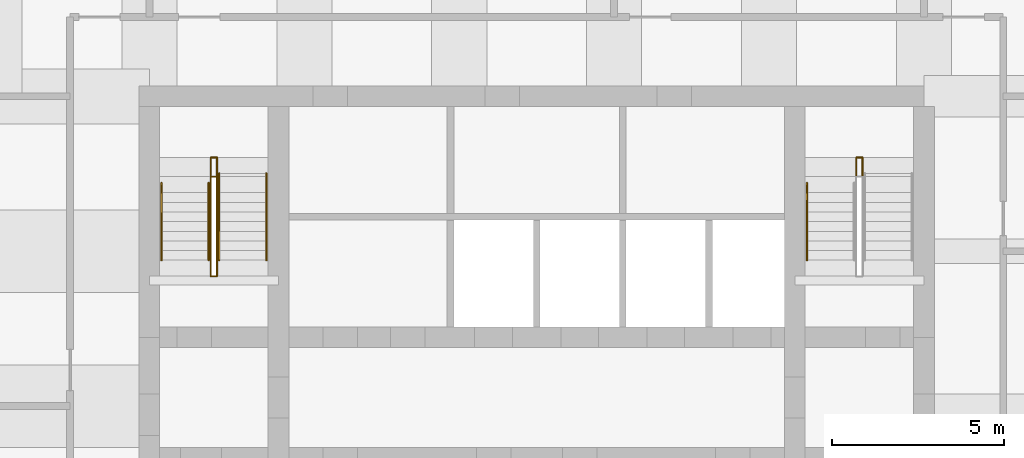
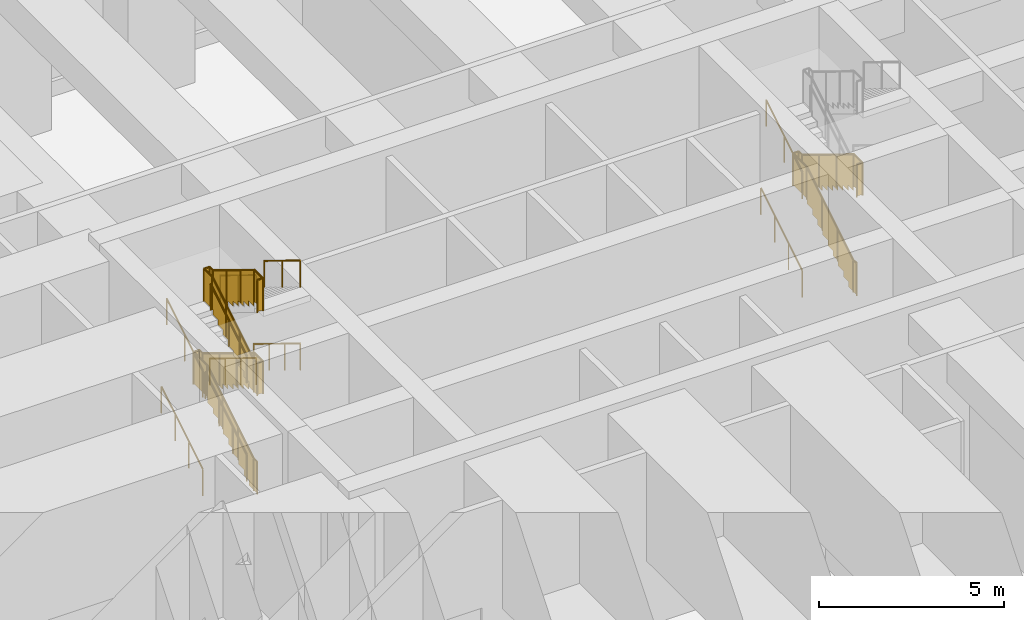
# One storey, part 16 of 17: 16 railings.
"""IFC4 building model written with IfcOpenShell, lengths in metres."""

import ifcopenshell
import ifcopenshell.guid

model = None  # the IFC model being written
_history = None  # IfcOwnerHistory: only IFC2X3 demands one
_inside = {}  # id of a spatial element -> (the spatial element, [elements in it])
_under = {}  # id of a project, library or spatial element -> (it, [spatial elements below it])
_declared = {}  # id of a project -> (the project, [libraries it declares])
_typed = {}  # id of a type object -> (the type object, [elements of that type])
_made_of = {}  # id of a material, layer set ... -> (it, [elements and type objects made of it])


def new_model(schema):
    """Start an empty IFC model of exactly this schema.

    Asked for "IFC4X3", IfcOpenShell would pick the latest addendum, in which some entities
    have other attributes; the version numbers below select the first issue.
    IFC2X3 requires an IfcOwnerHistory on every rooted entity: one is made here for all.
    """
    global model, _history
    if schema == "IFC4X3":
        model = ifcopenshell.file(schema_version=(4, 3, 0, 0))
    else:
        model = ifcopenshell.file(schema=schema)
    _inside.clear()
    _under.clear()
    _declared.clear()
    _typed.clear()
    _made_of.clear()
    _history = None
    if model.schema == "IFC2X3":
        org = make("IfcOrganization", Name="unknown")
        user = make(
            "IfcPersonAndOrganization",
            ThePerson=make("IfcPerson", FamilyName="unknown"),
            TheOrganization=org,
        )
        app = make(
            "IfcApplication",
            ApplicationDeveloper=org,
            Version="unknown",
            ApplicationFullName="unknown",
            ApplicationIdentifier="unknown",
        )
        _history = make(
            "IfcOwnerHistory",
            OwningUser=user,
            OwningApplication=app,
            ChangeAction="ADDED",
            CreationDate=0,
        )
    return model


def make(cls, **values):
    """One entity of the class cls with the attributes given. An attribute that is None is left unset."""
    return model.create_entity(
        cls, **{name: value for name, value in values.items() if value is not None}
    )


def rooted(cls, **values):
    """An entity with a GlobalId (a new one), such as an element, a storey or a relation."""
    return make(cls, GlobalId=ifcopenshell.guid.new(), OwnerHistory=_history, **values)


def si_unit(unit_type, name, prefix=None):
    """IfcSIUnit, for example si_unit("LENGTHUNIT", "METRE", prefix="MILLI")."""
    return make("IfcSIUnit", UnitType=unit_type, Prefix=prefix, Name=name)


def assignment(units):
    """IfcUnitAssignment: the units of a project."""
    return None if units is None else make("IfcUnitAssignment", Units=units)


def point(xyz):
    """IfcCartesianPoint."""
    return None if xyz is None else make("IfcCartesianPoint", Coordinates=xyz)


def direction(xyz):
    """IfcDirection."""
    return None if xyz is None else make("IfcDirection", DirectionRatios=xyz)


def frame(location, z_axis=None, x_axis=None):
    """IfcAxis2Placement3D, a coordinate frame: its origin and axes. An axis left out is left unset."""
    return make(
        "IfcAxis2Placement3D",
        Location=point(location),
        Axis=direction(z_axis),
        RefDirection=direction(x_axis),
    )


def frame_2d(location, x_axis=None):
    """IfcAxis2Placement2D, a coordinate frame in the plane: its origin and x axis."""
    return make(
        "IfcAxis2Placement2D", Location=point(location), RefDirection=direction(x_axis)
    )


def origin():
    """The frame at (0, 0, 0) with its axes left unset."""
    return frame((0.0, 0.0, 0.0))


def origin_2d():
    """The frame at (0, 0) in the plane with its x axis left unset."""
    return frame_2d((0.0, 0.0))


def place(relative_to, where):
    """IfcLocalPlacement: puts the frame where relative to a parent placement (None: the world)."""
    return make(
        "IfcLocalPlacement", PlacementRelTo=relative_to, RelativePlacement=where
    )


def context(
    kind, dimensions, precision=None, world=None, true_north=None, identifier=None
):
    """IfcGeometricRepresentationContext, for example the 3D "Model" context."""
    return make(
        "IfcGeometricRepresentationContext",
        ContextIdentifier=identifier,
        ContextType=kind,
        CoordinateSpaceDimension=dimensions,
        Precision=precision,
        WorldCoordinateSystem=world,
        TrueNorth=true_north,
    )


def subcontext(parent, identifier, kind, view, scale=None):
    """IfcGeometricRepresentationSubContext, for example "Body" below "Model"."""
    return make(
        "IfcGeometricRepresentationSubContext",
        ContextIdentifier=identifier,
        ContextType=kind,
        ParentContext=parent,
        TargetScale=scale,
        TargetView=view,
    )


def project(units=None, contexts=None):
    """IfcProject with its units and contexts."""
    return rooted(
        "IfcProject",
        Name="project",
        RepresentationContexts=contexts,
        UnitsInContext=assignment(units),
    )


def spatial(cls, under=None, at=None, **own):
    """A site, building, storey or space (cls), placed at a placement, below another one or the project."""
    s = rooted(cls, ObjectPlacement=at, **own)
    if under is not None:
        _under.setdefault(under.id(), (under, []))[1].append(s)
    return s


def polyline(points):
    """IfcPolyline through the points."""
    return make("IfcPolyline", Points=[point(p) for p in points])


def profile(cls, at=None, kind="AREA", **sizes):
    """A parametric profile (cls). Its sizes go by their IFC names, for example OverallWidth=200.0."""
    return make(cls, ProfileType=kind, Position=at, **sizes)


def circle(**sizes):
    """IfcCircleProfileDef."""
    return profile("IfcCircleProfileDef", **sizes)


def outline(outer, holes=None, kind="AREA"):
    """IfcArbitraryClosedProfileDef: a profile drawn as a closed curve; with holes, ...WithVoids."""
    if holes is None:
        return make("IfcArbitraryClosedProfileDef", ProfileType=kind, OuterCurve=outer)
    return make(
        "IfcArbitraryProfileDefWithVoids",
        ProfileType=kind,
        OuterCurve=outer,
        InnerCurves=holes,
    )


def extrude(swept, where, along, depth):
    """IfcExtrudedAreaSolid: the profile swept, set in the frame where, extruded along a direction by depth."""
    return make(
        "IfcExtrudedAreaSolid",
        SweptArea=swept,
        Position=where,
        ExtrudedDirection=direction(along),
        Depth=depth,
    )


def shape(context_of_items, identifier, shape_type, items):
    """IfcShapeRepresentation: the items that make up one representation, for example the "Body"."""
    return make(
        "IfcShapeRepresentation",
        ContextOfItems=context_of_items,
        RepresentationIdentifier=identifier,
        RepresentationType=shape_type,
        Items=items,
    )


def material(Name=None, Category=None):
    """IfcMaterial."""
    return make("IfcMaterial", Name=Name, Category=Category)


def made_of(thing, what):
    """Note that an element or type object is made of a material, layer set ...; save() writes the relation."""
    if what is not None:
        _made_of.setdefault(what.id(), (what, []))[1].append(thing)
    return thing


def type_object(cls, material=None, **own):
    """A type object (cls), such as IfcWallType, which elements share."""
    return made_of(rooted(cls, **own), material)


def element(
    cls,
    number,
    at=None,
    inside=None,
    cuts=None,
    type_object=None,
    material=None,
    context=None,
    identifier="Body",
    shape_type=None,
    held_by="IfcProductDefinitionShape",
    body=None,
    shapes=None,
    **own,
):
    """One element of the class cls, such as IfcWall. Its Tag is "e" and its number.

    at: its placement. inside: the storey or other place that contains it. cuts: it is an
    opening in that element (IfcRelVoidsElement). A single representation is given by context,
    identifier, shape_type and body (its items); several are given by shapes. held_by: the class
    of the entity that holds the representations. save() writes the other relations.
    """
    e = rooted(cls, Tag="e%d" % number, ObjectPlacement=at, **own)
    if body is not None:
        shapes = [shape(context, identifier, shape_type, body)]
    if shapes is not None:
        e.Representation = make(held_by, Representations=shapes)
    if inside is not None:
        _inside.setdefault(inside.id(), (inside, []))[1].append(e)
    if cuts is not None:
        rooted(
            "IfcRelVoidsElement", RelatingBuildingElement=cuts, RelatedOpeningElement=e
        )
    if type_object is not None:
        _typed.setdefault(type_object.id(), (type_object, []))[1].append(e)
    return made_of(e, material)


def aggregate(whole, parts):
    """IfcRelAggregates: a whole, such as a stair, and the parts it consists of."""
    return rooted("IfcRelAggregates", RelatingObject=whole, RelatedObjects=parts)


def save(model, path):
    """Write the relations noted so far, then the file.

    IfcRelAggregates (storeys below a building ...), IfcRelContainedInSpatialStructure (elements
    in a storey), IfcRelDefinesByType, IfcRelAssociatesMaterial and IfcRelDeclares: one each for
    every whole, place, type object, material and project.
    """
    for whole, parts in _under.values():
        aggregate(whole, parts)
    for where, things in _inside.values():
        rooted(
            "IfcRelContainedInSpatialStructure",
            RelatedElements=things,
            RelatingStructure=where,
        )
    for kind, things in _typed.values():
        rooted("IfcRelDefinesByType", RelatedObjects=things, RelatingType=kind)
    for what, things in _made_of.values():
        rooted("IfcRelAssociatesMaterial", RelatedObjects=things, RelatingMaterial=what)
    for by, libraries in _declared.values():
        rooted("IfcRelDeclares", RelatingContext=by, RelatedDefinitions=libraries)
    model.write(path)


model = new_model("IFC4")

# Units and contexts
model_context = context("Model", 3, precision=1e-05, world=origin(), true_north=direction((0.0, 1.0)))
body_context = subcontext(model_context, "Body", "Model", "MODEL_VIEW")
ifc_project = project(units=[si_unit("LENGTHUNIT", "METRE"), si_unit("AREAUNIT", "SQUARE_METRE"), si_unit("VOLUMEUNIT", "CUBIC_METRE"), si_unit("PLANEANGLEUNIT", "RADIAN"), si_unit("MASSUNIT", "GRAM", prefix="KILO")], contexts=[model_context])

# Site, building, storey
site_placement = place(None, origin())
site = spatial("IfcSite", under=ifc_project, at=site_placement, CompositionType="ELEMENT")
building_placement = place(site_placement, origin())
building = spatial("IfcBuilding", under=site, at=building_placement, Name="Kilele Tower Hotel", CompositionType="ELEMENT")
storey_placement = place(building_placement, frame((0.0, 0.0, 211.39990234375)))
storey = spatial("IfcBuildingStorey", under=building, at=storey_placement, Name="L55", CompositionType="ELEMENT", Elevation=211.39990234375)

# Railings
ifc_material_1 = material(Name="Steel handrail", Category="steel")
railing_type_1 = type_object("IfcRailingType", Name="Handrail 900", PredefinedType="HANDRAIL", material=ifc_material_1)
for number, where, name in (
    (1, (13.85009765625, 22.239990234375, 0.171630859375), "Handrail ST1 flight 1"),
    (2, (15.22509765625, 22.239990234375, 0.171630859375), "Handrail ST1 flight 1"),
):
    element("IfcRailing", number, at=place(storey_placement, frame(where)), inside=storey, type_object=railing_type_1, Name=name, PredefinedType="HANDRAIL", context=body_context, shape_type="SweptSolid", body=[
        extrude(circle(Radius=0.02490234375, at=origin_2d()), frame((0.0, 0.0, 0.875), z_axis=(0.0, 0.852865665234, 0.522130402356), x_axis=(-1.0, 0.0, 0.0)), (0.0, 0.0, 1.0), 2.62646484375),
        extrude(circle(Radius=0.02001953125, at=origin_2d()), origin(), (0.0, 0.0, 1.0), 0.849853515625),
        extrude(circle(Radius=0.02001953125, at=origin_2d()), frame((0.0, 0.74658203125, 0.45703125)), (0.0, 0.0, 1.0), 0.849853515625),
        extrude(circle(Radius=0.02001953125, at=origin_2d()), frame((0.0, 1.493408203125, 0.914306640625)), (0.0, 0.0, 1.0), 0.849853515625),
        extrude(circle(Radius=0.02001953125, at=origin_2d()), frame((0.0, 2.239990234375, 1.371337890625)), (0.0, 0.0, 1.0), 0.849853515625),
    ])
for number, where, name in (
    (3, (15.52490234375, 24.760009765625, 1.71435546875), "Handrail ST1 flight 2"),
    (4, (16.89990234375, 24.760009765625, 1.71435546875), "Handrail ST1 flight 2"),
):
    element("IfcRailing", number, at=place(storey_placement, frame(where)), inside=storey, type_object=railing_type_1, Name=name, PredefinedType="HANDRAIL", context=body_context, shape_type="SweptSolid", body=[
        extrude(circle(Radius=0.02490234375, at=origin_2d()), frame((0.0, 0.0, 0.875), z_axis=(0.0, -0.852836285881, 0.522178388565), x_axis=(1.0, 0.0, 0.0)), (0.0, 0.0, 1.0), 2.954833984375),
        extrude(circle(Radius=0.02001953125, at=origin_2d()), origin(), (0.0, 0.0, 1.0), 0.849853515625),
        extrude(circle(Radius=0.02001953125, at=origin_2d()), frame((0.0, -0.840087890625, 0.514404296875)), (0.0, 0.0, 1.0), 0.849853515625),
        extrude(circle(Radius=0.02001953125, at=origin_2d()), frame((0.0, -1.679931640625, 1.028564453125)), (0.0, 0.0, 1.0), 0.849853515625),
        extrude(circle(Radius=0.02001953125, at=origin_2d()), frame((0.0, -2.52001953125, 1.54296875)), (0.0, 0.0, 1.0), 0.849853515625),
    ])
for number, where, name in (
    (5, (13.85009765625, 22.239990234375, 3.4287109375), "Handrail ST1 flight 3"),
    (6, (15.22509765625, 22.239990234375, 3.4287109375), "Handrail ST1 flight 3"),
):
    element("IfcRailing", number, at=place(storey_placement, frame(where)), inside=storey, type_object=railing_type_1, Name=name, PredefinedType="HANDRAIL", context=body_context, shape_type="SweptSolid", body=[
        extrude(circle(Radius=0.02490234375, at=origin_2d()), frame((0.0, 0.0, 0.875), z_axis=(0.0, 0.852856131449, 0.522145974847), x_axis=(-1.0, 0.0, 0.0)), (0.0, 0.0, 1.0), 2.298095703125),
        extrude(circle(Radius=0.02001953125, at=origin_2d()), origin(), (0.0, 0.0, 1.0), 0.849853515625),
        extrude(circle(Radius=0.02001953125, at=origin_2d()), frame((0.0, 0.97998046875, 0.60009765625)), (0.0, 0.0, 1.0), 0.849853515625),
        extrude(circle(Radius=0.02001953125, at=origin_2d()), frame((0.0, 1.9599609375, 1.199951171875)), (0.0, 0.0, 1.0), 0.849853515625),
    ])
for number, where, name in (
    (7, (15.52490234375, 24.199951171875, 4.800048828125), "Handrail ST1 flight 4"),
    (8, (16.89990234375, 24.199951171875, 4.800048828125), "Handrail ST1 flight 4"),
):
    element("IfcRailing", number, at=place(storey_placement, frame(where)), inside=storey, type_object=railing_type_1, Name=name, PredefinedType="HANDRAIL", context=body_context, shape_type="SweptSolid", body=[
        extrude(circle(Radius=0.02490234375, at=origin_2d()), frame((0.0, 0.0, 0.875), z_axis=(0.0, -0.852856131449, 0.522145974847), x_axis=(1.0, 0.0, 0.0)), (0.0, 0.0, 1.0), 2.298095703125),
        extrude(circle(Radius=0.02001953125, at=origin_2d()), origin(), (0.0, 0.0, 1.0), 0.849853515625),
        extrude(circle(Radius=0.02001953125, at=origin_2d()), frame((0.0, -0.97998046875, 0.60009765625)), (0.0, 0.0, 1.0), 0.849853515625),
        extrude(circle(Radius=0.02001953125, at=origin_2d()), frame((0.0, -1.9599609375, 1.199951171875)), (0.0, 0.0, 1.0), 0.849853515625),
    ])
railing_1_placement = place(storey_placement, frame((32.60009765625, 22.239990234375, 0.171630859375)))
element("IfcRailing", 9, at=railing_1_placement, inside=storey, type_object=railing_type_1, Name="Handrail ST2 flight 1", PredefinedType="HANDRAIL", context=body_context, shape_type="SweptSolid", body=[
    extrude(circle(Radius=0.02490234375, at=origin_2d()), frame((0.0, 0.0, 0.875), z_axis=(0.0, 0.852865665234, 0.522130402356), x_axis=(-1.0, 0.0, 0.0)), (0.0, 0.0, 1.0), 2.62646484375),
    extrude(circle(Radius=0.02001953125, at=origin_2d()), origin(), (0.0, 0.0, 1.0), 0.849853515625),
    extrude(circle(Radius=0.02001953125, at=origin_2d()), frame((0.0, 0.74658203125, 0.45703125)), (0.0, 0.0, 1.0), 0.849853515625),
    extrude(circle(Radius=0.02001953125, at=origin_2d()), frame((0.0, 1.493408203125, 0.914306640625)), (0.0, 0.0, 1.0), 0.849853515625),
    extrude(circle(Radius=0.02001953125, at=origin_2d()), frame((0.0, 2.239990234375, 1.371337890625)), (0.0, 0.0, 1.0), 0.849853515625),
])
railing_2_placement = place(storey_placement, frame((32.60009765625, 22.239990234375, 3.4287109375)))
element("IfcRailing", 10, at=railing_2_placement, inside=storey, type_object=railing_type_1, Name="Handrail ST2 flight 3", PredefinedType="HANDRAIL", context=body_context, shape_type="SweptSolid", body=[
    extrude(circle(Radius=0.02490234375, at=origin_2d()), frame((0.0, 0.0, 0.875), z_axis=(0.0, 0.852856131449, 0.522145974847), x_axis=(-1.0, 0.0, 0.0)), (0.0, 0.0, 1.0), 2.298095703125),
    extrude(circle(Radius=0.02001953125, at=origin_2d()), origin(), (0.0, 0.0, 1.0), 0.849853515625),
    extrude(circle(Radius=0.02001953125, at=origin_2d()), frame((0.0, 0.97998046875, 0.60009765625)), (0.0, 0.0, 1.0), 0.849853515625),
    extrude(circle(Radius=0.02001953125, at=origin_2d()), frame((0.0, 1.9599609375, 1.199951171875)), (0.0, 0.0, 1.0), 0.849853515625),
])
ifc_material_2 = material(Name="Steel guard", Category="steel")
railing_type_2 = type_object("IfcRailingType", Name="Stair guard 1100", PredefinedType="GUARDRAIL", material=ifc_material_2)
railing_3_placement = place(storey_placement, frame((15.284912109375, 21.77490234375, 0.0)))
element("IfcRailing", 11, at=railing_3_placement, inside=storey, type_object=railing_type_2, Name="Stair well guard ST1 flight 1", PredefinedType="GUARDRAIL", context=body_context, shape_type="SweptSolid", body=[
    extrude(circle(Radius=0.02490234375, at=origin_2d()), frame((0.0, 0.0, 1.0751953125), z_axis=(0.0, 1.0, 0.0), x_axis=(-1.0, 0.0, 0.0)), (0.0, 0.0, 1.0), 0.18505859375),
    extrude(circle(Radius=0.02490234375, at=origin_2d()), frame((0.0, 0.18505859375, 1.0751953125), z_axis=(0.0, 0.852836285881, 0.522178388565), x_axis=(-1.0, 0.0, 0.0)), (0.0, 0.0, 1.0), 2.954833984375),
    extrude(circle(Radius=0.02490234375, at=origin_2d()), frame((0.0, 2.705078125, 2.6181640625), z_axis=(0.0, 1.0, 0.0), x_axis=(-1.0, 0.0, 0.0)), (0.0, 0.0, 1.0), 0.7451171875),
    extrude(circle(Radius=0.02490234375, at=origin_2d()), frame((0.0, 3.4501953125, 2.6181640625), z_axis=(1.0, 0.0, 0.0), x_axis=(0.0, 1.0, 0.0)), (0.0, 0.0, 1.0), 0.18017578125),
    extrude(circle(Radius=0.02490234375, at=origin_2d()), origin(), (0.0, 0.0, 1.0), 1.050048828125),
    extrude(circle(Radius=0.02490234375, at=origin_2d()), frame((0.0, 0.18505859375, 0.0)), (0.0, 0.0, 1.0), 1.050048828125),
    extrude(circle(Radius=0.02490234375, at=origin_2d()), frame((0.0, 1.025146484375, 0.514404296875)), (0.0, 0.0, 1.0), 1.050048828125),
    extrude(circle(Radius=0.02490234375, at=origin_2d()), frame((0.0, 1.864990234375, 1.028564453125)), (0.0, 0.0, 1.0), 1.050048828125),
    extrude(circle(Radius=0.02490234375, at=origin_2d()), frame((0.0, 2.705078125, 1.54296875)), (0.0, 0.0, 1.0), 1.050048828125),
    extrude(circle(Radius=0.02490234375, at=origin_2d()), frame((0.0, 3.4501953125, 1.54296875)), (0.0, 0.0, 1.0), 1.050048828125),
    extrude(circle(Radius=0.02490234375, at=origin_2d()), frame((0.18017578125, 3.4501953125, 1.54296875)), (0.0, 0.0, 1.0), 1.050048828125),
    extrude(outline(polyline([(0.0, 0.030029296875), (0.172607421875, 0.030029296875), (0.172607421875, 1.050048828125), (0.0, 1.050048828125), (0.0, 0.030029296875)])), frame((-0.005859375, 0.0, 0.0), z_axis=(1.0, 0.0, 0.0), x_axis=(0.0, 1.0, 0.0)), (0.0, 0.0, 1.0), 0.011962890625),
    extrude(outline(polyline([(0.012451171875, 0.030029296875), (0.25, 0.030029296875), (0.25, 0.201416015625), (0.530029296875, 0.201416015625), (0.530029296875, 0.372802734375), (0.81005859375, 0.372802734375), (0.81005859375, 0.54443359375), (1.090087890625, 0.54443359375), (1.090087890625, 0.7158203125), (1.369873046875, 0.7158203125), (1.369873046875, 0.88720703125), (1.64990234375, 0.88720703125), (1.64990234375, 1.05859375), (1.929931640625, 1.05859375), (1.929931640625, 1.230224609375), (2.2099609375, 1.230224609375), (2.2099609375, 1.401611328125), (2.489990234375, 1.401611328125), (2.489990234375, 1.572998046875), (2.507568359375, 1.572998046875), (2.507568359375, 2.5810546875), (0.012451171875, 1.053466796875), (0.012451171875, 0.030029296875)])), frame((-0.005859375, 0.18505859375, 0.0), z_axis=(1.0, 0.0, 0.0), x_axis=(0.0, 1.0, 0.0)), (0.0, 0.0, 1.0), 0.011962890625),
    extrude(outline(polyline([(0.012451171875, 0.030029296875), (0.732666015625, 0.030029296875), (0.732666015625, 1.050048828125), (0.012451171875, 1.050048828125), (0.012451171875, 0.030029296875)])), frame((-0.005859375, 2.705078125, 1.54296875), z_axis=(1.0, 0.0, 0.0), x_axis=(0.0, 1.0, 0.0)), (0.0, 0.0, 1.0), 0.011962890625),
    extrude(outline(polyline([(0.012451171875, 0.030029296875), (0.18017578125, 0.030029296875), (0.18017578125, 1.050048828125), (0.012451171875, 1.050048828125), (0.012451171875, 0.030029296875)])), frame((0.0, 3.4560546875, 1.54296875), z_axis=(0.0, -1.0, 0.0), x_axis=(1.0, 0.0, 0.0)), (0.0, 0.0, 1.0), 0.011962890625),
])
railing_4_placement = place(storey_placement, frame((15.465087890625, 25.22509765625, 1.54296875)))
element("IfcRailing", 12, at=railing_4_placement, inside=storey, type_object=railing_type_2, Name="Stair well guard ST1 flight 2", PredefinedType="GUARDRAIL", context=body_context, shape_type="SweptSolid", body=[
    extrude(circle(Radius=0.02490234375, at=origin_2d()), frame((0.0, 0.0, 1.0751953125), z_axis=(0.0, -1.0, 0.0), x_axis=(1.0, 0.0, 0.0)), (0.0, 0.0, 1.0), 0.18505859375),
    extrude(circle(Radius=0.02490234375, at=origin_2d()), frame((0.0, -0.18505859375, 1.0751953125), z_axis=(0.0, -0.852879011914, 0.522108600807), x_axis=(1.0, 0.0, 0.0)), (0.0, 0.0, 1.0), 3.282958984375),
    extrude(circle(Radius=0.02490234375, at=origin_2d()), frame((0.0, -2.985107421875, 2.7890625), z_axis=(0.0, -1.0, 0.0), x_axis=(1.0, 0.0, 0.0)), (0.0, 0.0, 1.0), 0.465087890625),
    extrude(circle(Radius=0.02490234375, at=origin_2d()), frame((0.0, -3.4501953125, 2.7890625), z_axis=(-1.0, 0.0, 0.0), x_axis=(0.0, -1.0, 0.0)), (0.0, 0.0, 1.0), 0.18017578125),
    extrude(circle(Radius=0.02490234375, at=origin_2d()), origin(), (0.0, 0.0, 1.0), 1.050048828125),
    extrude(circle(Radius=0.02490234375, at=origin_2d()), frame((0.0, -0.18505859375, 0.0)), (0.0, 0.0, 1.0), 1.050048828125),
    extrude(circle(Radius=0.02490234375, at=origin_2d()), frame((0.0, -1.118408203125, 0.5712890625)), (0.0, 0.0, 1.0), 1.050048828125),
    extrude(circle(Radius=0.02490234375, at=origin_2d()), frame((0.0, -2.0517578125, 1.142822265625)), (0.0, 0.0, 1.0), 1.050048828125),
    extrude(circle(Radius=0.02490234375, at=origin_2d()), frame((0.0, -2.985107421875, 1.714111328125)), (0.0, 0.0, 1.0), 1.050048828125),
    extrude(circle(Radius=0.02490234375, at=origin_2d()), frame((0.0, -3.4501953125, 1.714111328125)), (0.0, 0.0, 1.0), 1.050048828125),
    extrude(circle(Radius=0.02490234375, at=origin_2d()), frame((-0.18017578125, -3.4501953125, 1.714111328125)), (0.0, 0.0, 1.0), 1.050048828125),
    extrude(outline(polyline([(0.0, 0.030029296875), (0.172607421875, 0.030029296875), (0.172607421875, 1.050048828125), (0.0, 1.050048828125), (0.0, 0.030029296875)])), frame((0.005859375, 0.0, 0.0), z_axis=(-1.0, 0.0, 0.0), x_axis=(0.0, -1.0, 0.0)), (0.0, 0.0, 1.0), 0.011962890625),
    extrude(outline(polyline([(0.012451171875, 0.030029296875), (0.25, 0.030029296875), (0.25, 0.201416015625), (0.530029296875, 0.201416015625), (0.530029296875, 0.372802734375), (0.81005859375, 0.372802734375), (0.81005859375, 0.544189453125), (1.090087890625, 0.544189453125), (1.090087890625, 0.715576171875), (1.3701171875, 0.715576171875), (1.3701171875, 0.88720703125), (1.64990234375, 0.88720703125), (1.64990234375, 1.05859375), (1.929931640625, 1.05859375), (1.929931640625, 1.22998046875), (2.2099609375, 1.22998046875), (2.2099609375, 1.4013671875), (2.489990234375, 1.4013671875), (2.489990234375, 1.57275390625), (2.77001953125, 1.57275390625), (2.77001953125, 1.744140625), (2.78759765625, 1.744140625), (2.78759765625, 2.752197265625), (0.012451171875, 1.053466796875), (0.012451171875, 0.030029296875)])), frame((0.005859375, -0.18505859375, 0.0), z_axis=(-1.0, 0.0, 0.0), x_axis=(0.0, -1.0, 0.0)), (0.0, 0.0, 1.0), 0.011962890625),
    extrude(outline(polyline([(0.012451171875, 0.030029296875), (0.45263671875, 0.030029296875), (0.45263671875, 1.050048828125), (0.012451171875, 1.050048828125), (0.012451171875, 0.030029296875)])), frame((0.005859375, -2.985107421875, 1.714111328125), z_axis=(-1.0, 0.0, 0.0), x_axis=(0.0, -1.0, 0.0)), (0.0, 0.0, 1.0), 0.011962890625),
    extrude(outline(polyline([(0.012451171875, 0.030029296875), (0.18017578125, 0.030029296875), (0.18017578125, 1.050048828125), (0.012451171875, 1.050048828125), (0.012451171875, 0.030029296875)])), frame((0.0, -3.4560546875, 1.714111328125), z_axis=(0.0, 1.0, 0.0), x_axis=(-1.0, 0.0, 0.0)), (0.0, 0.0, 1.0), 0.011962890625),
])
railing_5_placement = place(storey_placement, frame((15.284912109375, 21.77490234375, 3.257080078125)))
element("IfcRailing", 13, at=railing_5_placement, inside=storey, type_object=railing_type_2, Name="Stair well guard ST1 flight 3", PredefinedType="GUARDRAIL", context=body_context, shape_type="SweptSolid", body=[
    extrude(circle(Radius=0.02490234375, at=origin_2d()), frame((0.0, 0.0, 1.0751953125), z_axis=(0.0, 1.0, 0.0), x_axis=(-1.0, 0.0, 0.0)), (0.0, 0.0, 1.0), 0.18505859375),
    extrude(circle(Radius=0.02490234375, at=origin_2d()), frame((0.0, 0.18505859375, 1.0751953125), z_axis=(0.0, 0.852824270871, 0.522198011308), x_axis=(-1.0, 0.0, 0.0)), (0.0, 0.0, 1.0), 2.62646484375),
    extrude(circle(Radius=0.02490234375, at=origin_2d()), frame((0.0, 2.425048828125, 2.44677734375), z_axis=(0.0, 1.0, 0.0), x_axis=(-1.0, 0.0, 0.0)), (0.0, 0.0, 1.0), 0.465087890625),
    extrude(circle(Radius=0.02490234375, at=origin_2d()), frame((0.0, 2.89013671875, 2.44677734375), z_axis=(1.0, 0.0, 0.0), x_axis=(0.0, 1.0, 0.0)), (0.0, 0.0, 1.0), 0.18017578125),
    extrude(circle(Radius=0.02490234375, at=origin_2d()), origin(), (0.0, 0.0, 1.0), 1.050048828125),
    extrude(circle(Radius=0.02490234375, at=origin_2d()), frame((0.0, 0.18505859375, 0.0)), (0.0, 0.0, 1.0), 1.050048828125),
    extrude(circle(Radius=0.02490234375, at=origin_2d()), frame((0.0, 0.931640625, 0.457275390625)), (0.0, 0.0, 1.0), 1.050048828125),
    extrude(circle(Radius=0.02490234375, at=origin_2d()), frame((0.0, 1.678466796875, 0.914306640625)), (0.0, 0.0, 1.0), 1.050048828125),
    extrude(circle(Radius=0.02490234375, at=origin_2d()), frame((0.0, 2.425048828125, 1.37158203125)), (0.0, 0.0, 1.0), 1.050048828125),
    extrude(circle(Radius=0.02490234375, at=origin_2d()), frame((0.0, 2.89013671875, 1.37158203125)), (0.0, 0.0, 1.0), 1.050048828125),
    extrude(circle(Radius=0.02490234375, at=origin_2d()), frame((0.18017578125, 2.89013671875, 1.37158203125)), (0.0, 0.0, 1.0), 1.050048828125),
    extrude(outline(polyline([(0.0, 0.030029296875), (0.172607421875, 0.030029296875), (0.172607421875, 1.050048828125), (0.0, 1.050048828125), (0.0, 0.030029296875)])), frame((-0.005859375, 0.0, 0.0), z_axis=(1.0, 0.0, 0.0), x_axis=(0.0, 1.0, 0.0)), (0.0, 0.0, 1.0), 0.011962890625),
    extrude(outline(polyline([(0.012451171875, 0.030029296875), (0.25, 0.030029296875), (0.25, 0.201416015625), (0.530029296875, 0.201416015625), (0.530029296875, 0.373046875), (0.81005859375, 0.373046875), (0.81005859375, 0.54443359375), (1.08984375, 0.54443359375), (1.08984375, 0.7158203125), (1.369873046875, 0.7158203125), (1.369873046875, 0.88720703125), (1.64990234375, 0.88720703125), (1.64990234375, 1.05859375), (1.929931640625, 1.05859375), (1.929931640625, 1.230224609375), (2.2099609375, 1.230224609375), (2.2099609375, 1.401611328125), (2.2275390625, 1.401611328125), (2.2275390625, 2.40966796875), (0.012451171875, 1.053466796875), (0.012451171875, 0.030029296875)])), frame((-0.005859375, 0.18505859375, 0.0), z_axis=(1.0, 0.0, 0.0), x_axis=(0.0, 1.0, 0.0)), (0.0, 0.0, 1.0), 0.011962890625),
    extrude(outline(polyline([(0.012451171875, 0.030029296875), (0.45263671875, 0.030029296875), (0.45263671875, 1.050048828125), (0.012451171875, 1.050048828125), (0.012451171875, 0.030029296875)])), frame((-0.005859375, 2.425048828125, 1.37158203125), z_axis=(1.0, 0.0, 0.0), x_axis=(0.0, 1.0, 0.0)), (0.0, 0.0, 1.0), 0.011962890625),
    extrude(outline(polyline([(0.012451171875, 0.030029296875), (0.18017578125, 0.030029296875), (0.18017578125, 1.050048828125), (0.012451171875, 1.050048828125), (0.012451171875, 0.030029296875)])), frame((0.0, 2.89599609375, 1.37158203125), z_axis=(0.0, -1.0, 0.0), x_axis=(1.0, 0.0, 0.0)), (0.0, 0.0, 1.0), 0.011962890625),
])
railing_6_placement = place(storey_placement, frame((15.465087890625, 24.6650390625, 4.628662109375)))
element("IfcRailing", 14, at=railing_6_placement, inside=storey, type_object=railing_type_2, Name="Stair well guard ST1 flight 4", PredefinedType="GUARDRAIL", context=body_context, shape_type="SweptSolid", body=[
    extrude(circle(Radius=0.02490234375, at=origin_2d()), frame((0.0, 0.0, 1.0751953125), z_axis=(0.0, -1.0, 0.0), x_axis=(1.0, 0.0, 0.0)), (0.0, 0.0, 1.0), 0.18505859375),
    extrude(circle(Radius=0.02490234375, at=origin_2d()), frame((0.0, -0.18505859375, 1.0751953125), z_axis=(0.0, -0.852865665234, 0.522130402356), x_axis=(1.0, 0.0, 0.0)), (0.0, 0.0, 1.0), 2.62646484375),
    extrude(circle(Radius=0.02490234375, at=origin_2d()), frame((0.0, -2.425048828125, 2.4462890625), z_axis=(0.0, -1.0, 0.0), x_axis=(1.0, 0.0, 0.0)), (0.0, 0.0, 1.0), 0.465087890625),
    extrude(circle(Radius=0.02490234375, at=origin_2d()), frame((0.0, -2.89013671875, 2.4462890625), z_axis=(-1.0, 0.0, 0.0), x_axis=(0.0, -1.0, 0.0)), (0.0, 0.0, 1.0), 0.18017578125),
    extrude(circle(Radius=0.02490234375, at=origin_2d()), origin(), (0.0, 0.0, 1.0), 1.050048828125),
    extrude(circle(Radius=0.02490234375, at=origin_2d()), frame((0.0, -0.18505859375, 0.0)), (0.0, 0.0, 1.0), 1.050048828125),
    extrude(circle(Radius=0.02490234375, at=origin_2d()), frame((0.0, -0.931640625, 0.45703125)), (0.0, 0.0, 1.0), 1.050048828125),
    extrude(circle(Radius=0.02490234375, at=origin_2d()), frame((0.0, -1.678466796875, 0.914306640625)), (0.0, 0.0, 1.0), 1.050048828125),
    extrude(circle(Radius=0.02490234375, at=origin_2d()), frame((0.0, -2.425048828125, 1.371337890625)), (0.0, 0.0, 1.0), 1.050048828125),
    extrude(circle(Radius=0.02490234375, at=origin_2d()), frame((0.0, -2.89013671875, 1.371337890625)), (0.0, 0.0, 1.0), 1.050048828125),
    extrude(circle(Radius=0.02490234375, at=origin_2d()), frame((-0.18017578125, -2.89013671875, 1.371337890625)), (0.0, 0.0, 1.0), 1.050048828125),
    extrude(outline(polyline([(0.0, 0.030029296875), (0.172607421875, 0.030029296875), (0.172607421875, 1.050048828125), (0.0, 1.050048828125), (0.0, 0.030029296875)])), frame((0.005859375, 0.0, 0.0), z_axis=(-1.0, 0.0, 0.0), x_axis=(0.0, -1.0, 0.0)), (0.0, 0.0, 1.0), 0.011962890625),
    extrude(outline(polyline([(0.012451171875, 0.030029296875), (0.25, 0.030029296875), (0.25, 0.201416015625), (0.530029296875, 0.201416015625), (0.530029296875, 0.372802734375), (0.81005859375, 0.372802734375), (0.81005859375, 0.544189453125), (1.08984375, 0.544189453125), (1.08984375, 0.7158203125), (1.369873046875, 0.7158203125), (1.369873046875, 0.88720703125), (1.64990234375, 0.88720703125), (1.64990234375, 1.05859375), (1.929931640625, 1.05859375), (1.929931640625, 1.22998046875), (2.2099609375, 1.22998046875), (2.2099609375, 1.4013671875), (2.2275390625, 1.4013671875), (2.2275390625, 2.409423828125), (0.012451171875, 1.053466796875), (0.012451171875, 0.030029296875)])), frame((0.005859375, -0.18505859375, 0.0), z_axis=(-1.0, 0.0, 0.0), x_axis=(0.0, -1.0, 0.0)), (0.0, 0.0, 1.0), 0.011962890625),
    extrude(outline(polyline([(0.012451171875, 0.030029296875), (0.45263671875, 0.030029296875), (0.45263671875, 1.050048828125), (0.012451171875, 1.050048828125), (0.012451171875, 0.030029296875)])), frame((0.005859375, -2.425048828125, 1.371337890625), z_axis=(-1.0, 0.0, 0.0), x_axis=(0.0, -1.0, 0.0)), (0.0, 0.0, 1.0), 0.011962890625),
    extrude(outline(polyline([(0.012451171875, 0.030029296875), (0.18017578125, 0.030029296875), (0.18017578125, 1.050048828125), (0.012451171875, 1.050048828125), (0.012451171875, 0.030029296875)])), frame((0.0, -2.89599609375, 1.371337890625), z_axis=(0.0, 1.0, 0.0), x_axis=(-1.0, 0.0, 0.0)), (0.0, 0.0, 1.0), 0.011962890625),
])
railing_7_placement = place(storey_placement, frame((34.034912109375, 21.77490234375, 0.0)))
element("IfcRailing", 15, at=railing_7_placement, inside=storey, type_object=railing_type_2, Name="Stair well guard ST2 flight 1", PredefinedType="GUARDRAIL", context=body_context, shape_type="SweptSolid", body=[
    extrude(circle(Radius=0.02490234375, at=origin_2d()), frame((0.0, 0.0, 1.0751953125), z_axis=(0.0, 1.0, 0.0), x_axis=(-1.0, 0.0, 0.0)), (0.0, 0.0, 1.0), 0.18505859375),
    extrude(circle(Radius=0.02490234375, at=origin_2d()), frame((0.0, 0.18505859375, 1.0751953125), z_axis=(0.0, 0.852836285881, 0.522178388565), x_axis=(-1.0, 0.0, 0.0)), (0.0, 0.0, 1.0), 2.954833984375),
    extrude(circle(Radius=0.02490234375, at=origin_2d()), frame((0.0, 2.705078125, 2.6181640625), z_axis=(0.0, 1.0, 0.0), x_axis=(-1.0, 0.0, 0.0)), (0.0, 0.0, 1.0), 0.7451171875),
    extrude(circle(Radius=0.02490234375, at=origin_2d()), frame((0.0, 3.4501953125, 2.6181640625), z_axis=(1.0, 0.0, 0.0), x_axis=(0.0, 1.0, 0.0)), (0.0, 0.0, 1.0), 0.18017578125),
    extrude(circle(Radius=0.02490234375, at=origin_2d()), origin(), (0.0, 0.0, 1.0), 1.050048828125),
    extrude(circle(Radius=0.02490234375, at=origin_2d()), frame((0.0, 0.18505859375, 0.0)), (0.0, 0.0, 1.0), 1.050048828125),
    extrude(circle(Radius=0.02490234375, at=origin_2d()), frame((0.0, 1.025146484375, 0.514404296875)), (0.0, 0.0, 1.0), 1.050048828125),
    extrude(circle(Radius=0.02490234375, at=origin_2d()), frame((0.0, 1.864990234375, 1.028564453125)), (0.0, 0.0, 1.0), 1.050048828125),
    extrude(circle(Radius=0.02490234375, at=origin_2d()), frame((0.0, 2.705078125, 1.54296875)), (0.0, 0.0, 1.0), 1.050048828125),
    extrude(circle(Radius=0.02490234375, at=origin_2d()), frame((0.0, 3.4501953125, 1.54296875)), (0.0, 0.0, 1.0), 1.050048828125),
    extrude(circle(Radius=0.02490234375, at=origin_2d()), frame((0.18017578125, 3.4501953125, 1.54296875)), (0.0, 0.0, 1.0), 1.050048828125),
    extrude(outline(polyline([(0.0, 0.030029296875), (0.172607421875, 0.030029296875), (0.172607421875, 1.050048828125), (0.0, 1.050048828125), (0.0, 0.030029296875)])), frame((-0.005859375, 0.0, 0.0), z_axis=(1.0, 0.0, 0.0), x_axis=(0.0, 1.0, 0.0)), (0.0, 0.0, 1.0), 0.011962890625),
    extrude(outline(polyline([(0.012451171875, 0.030029296875), (0.25, 0.030029296875), (0.25, 0.201416015625), (0.530029296875, 0.201416015625), (0.530029296875, 0.372802734375), (0.81005859375, 0.372802734375), (0.81005859375, 0.54443359375), (1.090087890625, 0.54443359375), (1.090087890625, 0.7158203125), (1.369873046875, 0.7158203125), (1.369873046875, 0.88720703125), (1.64990234375, 0.88720703125), (1.64990234375, 1.05859375), (1.929931640625, 1.05859375), (1.929931640625, 1.230224609375), (2.2099609375, 1.230224609375), (2.2099609375, 1.401611328125), (2.489990234375, 1.401611328125), (2.489990234375, 1.572998046875), (2.507568359375, 1.572998046875), (2.507568359375, 2.5810546875), (0.012451171875, 1.053466796875), (0.012451171875, 0.030029296875)])), frame((-0.005859375, 0.18505859375, 0.0), z_axis=(1.0, 0.0, 0.0), x_axis=(0.0, 1.0, 0.0)), (0.0, 0.0, 1.0), 0.011962890625),
    extrude(outline(polyline([(0.012451171875, 0.030029296875), (0.732666015625, 0.030029296875), (0.732666015625, 1.050048828125), (0.012451171875, 1.050048828125), (0.012451171875, 0.030029296875)])), frame((-0.005859375, 2.705078125, 1.54296875), z_axis=(1.0, 0.0, 0.0), x_axis=(0.0, 1.0, 0.0)), (0.0, 0.0, 1.0), 0.011962890625),
    extrude(outline(polyline([(0.012451171875, 0.030029296875), (0.18017578125, 0.030029296875), (0.18017578125, 1.050048828125), (0.012451171875, 1.050048828125), (0.012451171875, 0.030029296875)])), frame((0.0, 3.4560546875, 1.54296875), z_axis=(0.0, -1.0, 0.0), x_axis=(1.0, 0.0, 0.0)), (0.0, 0.0, 1.0), 0.011962890625),
])
railing_8_placement = place(storey_placement, frame((34.215087890625, 25.22509765625, 1.54296875)))
element("IfcRailing", 16, at=railing_8_placement, inside=storey, type_object=railing_type_2, Name="Stair well guard ST2 flight 2", PredefinedType="GUARDRAIL", context=body_context, shape_type="SweptSolid", body=[
    extrude(circle(Radius=0.02490234375, at=origin_2d()), frame((0.0, 0.0, 1.0751953125), z_axis=(0.0, -1.0, 0.0), x_axis=(1.0, 0.0, 0.0)), (0.0, 0.0, 1.0), 0.18505859375),
    extrude(circle(Radius=0.02490234375, at=origin_2d()), frame((0.0, -0.18505859375, 1.0751953125), z_axis=(0.0, -0.852879011914, 0.522108600807), x_axis=(1.0, 0.0, 0.0)), (0.0, 0.0, 1.0), 3.282958984375),
    extrude(circle(Radius=0.02490234375, at=origin_2d()), frame((0.0, -2.985107421875, 2.7890625), z_axis=(0.0, -1.0, 0.0), x_axis=(1.0, 0.0, 0.0)), (0.0, 0.0, 1.0), 0.465087890625),
    extrude(circle(Radius=0.02490234375, at=origin_2d()), frame((0.0, -3.4501953125, 2.7890625), z_axis=(-1.0, 0.0, 0.0), x_axis=(0.0, -1.0, 0.0)), (0.0, 0.0, 1.0), 0.18017578125),
    extrude(circle(Radius=0.02490234375, at=origin_2d()), origin(), (0.0, 0.0, 1.0), 1.050048828125),
    extrude(circle(Radius=0.02490234375, at=origin_2d()), frame((0.0, -0.18505859375, 0.0)), (0.0, 0.0, 1.0), 1.050048828125),
    extrude(circle(Radius=0.02490234375, at=origin_2d()), frame((0.0, -1.118408203125, 0.5712890625)), (0.0, 0.0, 1.0), 1.050048828125),
    extrude(circle(Radius=0.02490234375, at=origin_2d()), frame((0.0, -2.0517578125, 1.142822265625)), (0.0, 0.0, 1.0), 1.050048828125),
    extrude(circle(Radius=0.02490234375, at=origin_2d()), frame((0.0, -2.985107421875, 1.714111328125)), (0.0, 0.0, 1.0), 1.050048828125),
    extrude(circle(Radius=0.02490234375, at=origin_2d()), frame((0.0, -3.4501953125, 1.714111328125)), (0.0, 0.0, 1.0), 1.050048828125),
    extrude(circle(Radius=0.02490234375, at=origin_2d()), frame((-0.18017578125, -3.4501953125, 1.714111328125)), (0.0, 0.0, 1.0), 1.050048828125),
    extrude(outline(polyline([(0.0, 0.030029296875), (0.172607421875, 0.030029296875), (0.172607421875, 1.050048828125), (0.0, 1.050048828125), (0.0, 0.030029296875)])), frame((0.005859375, 0.0, 0.0), z_axis=(-1.0, 0.0, 0.0), x_axis=(0.0, -1.0, 0.0)), (0.0, 0.0, 1.0), 0.011962890625),
    extrude(outline(polyline([(0.012451171875, 0.030029296875), (0.25, 0.030029296875), (0.25, 0.201416015625), (0.530029296875, 0.201416015625), (0.530029296875, 0.372802734375), (0.81005859375, 0.372802734375), (0.81005859375, 0.544189453125), (1.090087890625, 0.544189453125), (1.090087890625, 0.715576171875), (1.3701171875, 0.715576171875), (1.3701171875, 0.88720703125), (1.64990234375, 0.88720703125), (1.64990234375, 1.05859375), (1.929931640625, 1.05859375), (1.929931640625, 1.22998046875), (2.2099609375, 1.22998046875), (2.2099609375, 1.4013671875), (2.489990234375, 1.4013671875), (2.489990234375, 1.57275390625), (2.77001953125, 1.57275390625), (2.77001953125, 1.744140625), (2.78759765625, 1.744140625), (2.78759765625, 2.752197265625), (0.012451171875, 1.053466796875), (0.012451171875, 0.030029296875)])), frame((0.005859375, -0.18505859375, 0.0), z_axis=(-1.0, 0.0, 0.0), x_axis=(0.0, -1.0, 0.0)), (0.0, 0.0, 1.0), 0.011962890625),
    extrude(outline(polyline([(0.012451171875, 0.030029296875), (0.45263671875, 0.030029296875), (0.45263671875, 1.050048828125), (0.012451171875, 1.050048828125), (0.012451171875, 0.030029296875)])), frame((0.005859375, -2.985107421875, 1.714111328125), z_axis=(-1.0, 0.0, 0.0), x_axis=(0.0, -1.0, 0.0)), (0.0, 0.0, 1.0), 0.011962890625),
    extrude(outline(polyline([(0.012451171875, 0.030029296875), (0.18017578125, 0.030029296875), (0.18017578125, 1.050048828125), (0.012451171875, 1.050048828125), (0.012451171875, 0.030029296875)])), frame((0.0, -3.4560546875, 1.714111328125), z_axis=(0.0, 1.0, 0.0), x_axis=(-1.0, 0.0, 0.0)), (0.0, 0.0, 1.0), 0.011962890625),
])

save(model, "model.ifc")
